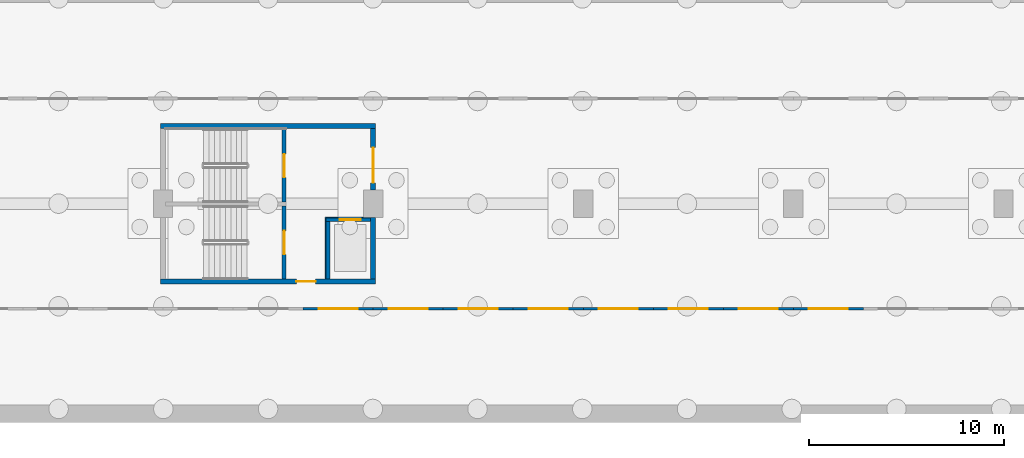
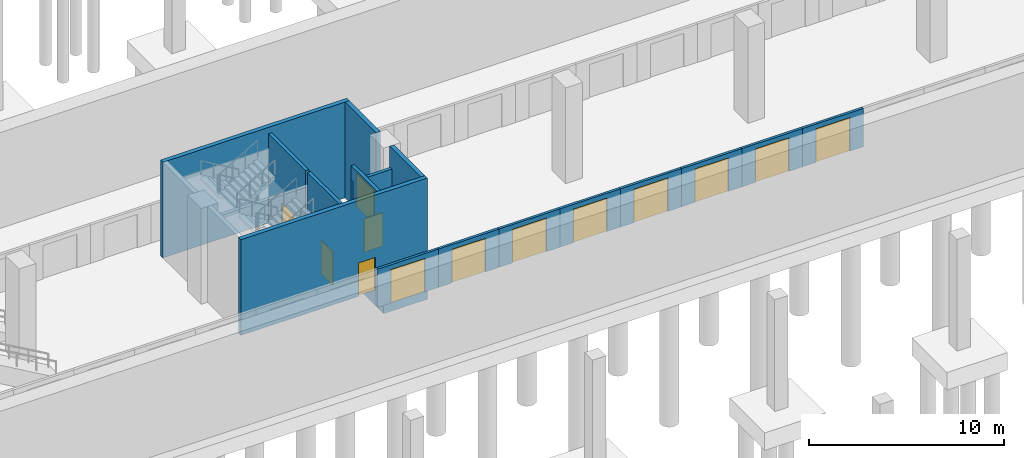
# One storey, part 9 of 39: 17 walls, 13 doors, 13 openings.
"""IFC4 building model written with IfcOpenShell, lengths in metres."""

from ifc_helpers import new_model, si_unit, direction, frame, frame_2d, origin, place, context, subcontext, project, spatial, polyline, rectangle, outline, extrude, material, layer, layer_set, type_object, element, fill, save


model = new_model("IFC4")

# Units and contexts
model_context = context("Model", 3, precision=1e-05, world=origin(), true_north=direction((0.0, 1.0)))
body_context = subcontext(model_context, "Body", "Model", "MODEL_VIEW")
ifc_project = project(units=[si_unit("LENGTHUNIT", "METRE"), si_unit("AREAUNIT", "SQUARE_METRE"), si_unit("VOLUMEUNIT", "CUBIC_METRE"), si_unit("PLANEANGLEUNIT", "RADIAN"), si_unit("MASSUNIT", "GRAM", prefix="KILO")], contexts=[model_context])

# Site, building, storey
site_placement = place(None, origin())
site = spatial("IfcSite", under=ifc_project, at=site_placement, CompositionType="ELEMENT")
building_placement = place(site_placement, origin())
building = spatial("IfcBuilding", under=site, at=building_placement, Name="Magnolia Steps Interchange", CompositionType="ELEMENT")
storey_placement = place(building_placement, frame((0.0, 0.0, -11.39990234375)))
storey = spatial("IfcBuildingStorey", under=building, at=storey_placement, Name="B2", CompositionType="ELEMENT", Elevation=-11.39990234375)

# Wall, opening, door
ifc_material_1 = material(Name="Concrete C35", Category="concrete")
ifc_layer_1 = layer(ifc_material_1, 0.199951171875)
ifc_layer_set_1 = layer_set([ifc_layer_1], Name="Core enclosure wall 200")
wall_type_1 = type_object("IfcWallType", Name="Core enclosure wall 200", PredefinedType="SOLIDWALL", material=ifc_layer_set_1)
wall_1_placement = place(storey_placement, frame((102.625, 60.125, 0.0), z_axis=(0.0, 0.0, 1.0), x_axis=(0.0, 1.0, 0.0)))
wall_1 = element("IfcWall", 1, at=wall_1_placement, inside=storey, type_object=wall_type_1, Name="B2 PC2 enclosure wall", PredefinedType="SOLIDWALL", context=body_context, shape_type="SweptSolid", body=[
    extrude(rectangle(XDim=3.75, YDim=0.199951171875, at=frame_2d((1.875, 0.0))), origin(), (0.0, 0.0, 1.0), 5.599853515625),
])
opening_1_placement = place(wall_1_placement, frame((1.27490234375, 0.0, 0.0)))
opening_1 = element("IfcOpeningElement", 2, at=opening_1_placement, cuts=wall_1, Name="Opening D-PC2-B2-1", PredefinedType="OPENING", context=body_context, shape_type="SweptSolid", body=[
    extrude(rectangle(XDim=1.199951171875, YDim=2.10009765625, at=frame_2d((0.60009765625, 1.050048828125))), frame((0.0, 0.10986328125, 0.0), z_axis=(0.0, -1.0, 0.0), x_axis=(1.0, 0.0, 0.0)), (0.0, 0.0, 1.0), 0.219970703125),
])
ifc_material_2 = material(Name="Painted steel", Category="steel")
door_type_1 = type_object("IfcDoorType", Name="Stair fire door 1200x2100", OperationType="NOTDEFINED", PredefinedType="DOOR", material=ifc_material_2)
door_1_placement = place(opening_1_placement, frame((1.199951171875, 0.0, 0.0), z_axis=(0.0, 0.0, 1.0), x_axis=(-1.0, 0.0, 0.0)))
door_1 = element("IfcDoor", 3, at=door_1_placement, inside=storey, type_object=door_type_1, Name="Stair door ST11 B2", OperationType="SINGLE_SWING_RIGHT", OverallHeight=2.10009765625, OverallWidth=1.199951171875, PredefinedType="DOOR", context=body_context, shape_type="SweptSolid", body=[
    extrude(rectangle(XDim=1.199951171875, YDim=2.10009765625, at=frame_2d((0.60009765625, 1.050048828125))), frame((0.0, 0.02490234375, 0.0), z_axis=(0.0, -1.0, 0.0), x_axis=(1.0, 0.0, 0.0)), (0.0, 0.0, 1.0), 0.050048828125),
])
fill(opening_1, door_1)

wall_2_placement = place(storey_placement, frame((102.625, 64.074951171875, 0.0), z_axis=(0.0, 0.0, 1.0), x_axis=(0.0, 1.0, 0.0)))
wall_2 = element("IfcWall", 4, at=wall_2_placement, inside=storey, type_object=wall_type_1, Name="B2 PC2 enclosure wall", PredefinedType="SOLIDWALL", context=body_context, shape_type="SweptSolid", body=[
    extrude(rectangle(XDim=3.800048828125, YDim=0.199951171875, at=frame_2d((1.89990234375, 0.0))), origin(), (0.0, 0.0, 1.0), 5.599853515625),
])
opening_2_placement = place(wall_2_placement, frame((1.27490234375, 0.0, 0.0)))
opening_2 = element("IfcOpeningElement", 5, at=opening_2_placement, cuts=wall_2, Name="Opening D-PC2-B2-2", PredefinedType="OPENING", context=body_context, shape_type="SweptSolid", body=[
    extrude(rectangle(XDim=1.199951171875, YDim=2.10009765625, at=frame_2d((0.60009765625, 1.050048828125))), frame((0.0, 0.10986328125, 0.0), z_axis=(0.0, -1.0, 0.0), x_axis=(1.0, 0.0, 0.0)), (0.0, 0.0, 1.0), 0.219970703125),
])
door_2_placement = place(opening_2_placement, frame((1.199951171875, 0.0, 0.0), z_axis=(0.0, 0.0, 1.0), x_axis=(-1.0, 0.0, 0.0)))
door_2 = element("IfcDoor", 6, at=door_2_placement, inside=storey, type_object=door_type_1, Name="Stair door ST12 B2", OperationType="SINGLE_SWING_RIGHT", OverallHeight=2.10009765625, OverallWidth=1.199951171875, PredefinedType="DOOR", context=body_context, shape_type="SweptSolid", body=[
    extrude(rectangle(XDim=1.199951171875, YDim=2.10009765625, at=frame_2d((0.60009765625, 1.050048828125))), frame((0.0, 0.02490234375, 0.0), z_axis=(0.0, -1.0, 0.0), x_axis=(1.0, 0.0, 0.0)), (0.0, 0.0, 1.0), 0.050048828125),
])
fill(opening_2, door_2)

# Wall
wall_3_placement = place(storey_placement, frame((104.875, 60.125, 0.0), z_axis=(0.0, 0.0, 1.0), x_axis=(0.0, 1.0, 0.0)))
element("IfcWall", 7, at=wall_3_placement, inside=storey, type_object=wall_type_1, Name="B2 PC2 enclosure wall", PredefinedType="SOLIDWALL", context=body_context, shape_type="SweptSolid", body=[
    extrude(rectangle(XDim=3.14990234375, YDim=0.199951171875, at=frame_2d((1.574951171875, 0.0))), origin(), (0.0, 0.0, 1.0), 5.599853515625),
])

# Wall, opening, door
wall_4_placement = place(storey_placement, frame((107.074951171875, 63.175048828125, 0.0), z_axis=(0.0, 0.0, 1.0), x_axis=(-1.0, 0.0, 0.0)))
wall_4 = element("IfcWall", 8, at=wall_4_placement, inside=storey, type_object=wall_type_1, Name="B2 PC2 enclosure wall", PredefinedType="SOLIDWALL", context=body_context, shape_type="SweptSolid", body=[
    extrude(rectangle(XDim=2.300048828125, YDim=0.199951171875, at=frame_2d((1.14990234375, 0.0))), origin(), (0.0, 0.0, 1.0), 4.699951171875),
])
opening_3_placement = place(wall_4_placement, frame((0.5, 0.0, 0.0)))
opening_3 = element("IfcOpeningElement", 9, at=opening_3_placement, cuts=wall_4, Name="Opening LD", PredefinedType="OPENING", context=body_context, shape_type="SweptSolid", body=[
    extrude(rectangle(XDim=1.10009765625, YDim=2.10009765625, at=frame_2d((0.550048828125, 1.050048828125))), frame((0.0, 0.10986328125, 0.0), z_axis=(0.0, -1.0, 0.0), x_axis=(1.0, 0.0, 0.0)), (0.0, 0.0, 1.0), 0.219970703125),
])
ifc_material_3 = material(Name="Stainless steel grade 304", Category="steel")
door_type_2 = type_object("IfcDoorType", Name="Lift landing door 1100x2100", OperationType="DOUBLE_DOOR_SLIDING", PredefinedType="DOOR", material=ifc_material_3)
door_3_placement = place(opening_3_placement, frame((1.10009765625, 0.0, 0.0), z_axis=(0.0, 0.0, 1.0), x_axis=(-1.0, 0.0, 0.0)))
door_3 = element("IfcDoor", 10, at=door_3_placement, inside=storey, type_object=door_type_2, Name="Lift landing door LF6 B2", OperationType="DOUBLE_DOOR_SLIDING", OverallHeight=2.10009765625, OverallWidth=1.10009765625, PredefinedType="DOOR", context=body_context, shape_type="SweptSolid", body=[
    extrude(rectangle(XDim=1.10009765625, YDim=2.10009765625, at=frame_2d((0.550048828125, 1.050048828125))), frame((0.0, 0.02490234375, 0.0), z_axis=(0.0, -1.0, 0.0), x_axis=(1.0, 0.0, 0.0)), (0.0, 0.0, 1.0), 0.050048828125),
])
fill(opening_3, door_3)

ifc_material_4 = material(Name="Concrete C40", Category="concrete")
ifc_layer_2 = layer(ifc_material_4, 0.25)
ifc_layer_set_2 = layer_set([ifc_layer_2], Name="Core wall 250")
wall_type_2 = type_object("IfcWallType", Name="Core wall 250", PredefinedType="SOLIDWALL", material=ifc_layer_set_2)
wall_5_placement = place(storey_placement, frame((96.27490234375, 60.0, 0.0), z_axis=(0.0, 0.0, 1.0), x_axis=(1.0, 0.0, 0.0)))
wall_5 = element("IfcWall", 11, at=wall_5_placement, inside=storey, type_object=wall_type_2, Name="Core wall PC2", PredefinedType="SOLIDWALL", context=body_context, shape_type="SweptSolid", body=[
    extrude(rectangle(XDim=11.050048828125, YDim=0.25, at=frame_2d((5.52490234375, 0.0))), origin(), (0.0, 0.0, 1.0), 6.0),
])
opening_4_placement = place(wall_5_placement, frame((6.97509765625, 0.0, 0.0)))
opening_4 = element("IfcOpeningElement", 12, at=opening_4_placement, cuts=wall_5, Name="Opening D-PC2-B2-4", PredefinedType="OPENING", context=body_context, shape_type="SweptSolid", body=[
    extrude(rectangle(XDim=1.0, YDim=2.10009765625, at=frame_2d((0.5, 1.050048828125))), frame((0.0, 0.135009765625, 0.0), z_axis=(0.0, -1.0, 0.0), x_axis=(1.0, 0.0, 0.0)), (0.0, 0.0, 1.0), 0.27001953125),
])
ifc_material_5 = material(Name="Timber and glass", Category="wood")
door_type_3 = type_object("IfcDoorType", Name="Core entrance door 1000x2100", OperationType="NOTDEFINED", PredefinedType="DOOR", material=ifc_material_5)
door_4_placement = place(opening_4_placement, frame((1.0, 0.0, 0.0), z_axis=(0.0, 0.0, 1.0), x_axis=(-1.0, 0.0, 0.0)))
door_4 = element("IfcDoor", 13, at=door_4_placement, inside=storey, type_object=door_type_3, Name="Core entrance door PC2 B2", OperationType="SINGLE_SWING_LEFT", OverallHeight=2.10009765625, OverallWidth=1.0, PredefinedType="DOOR", context=body_context, shape_type="SweptSolid", body=[
    extrude(rectangle(XDim=1.0, YDim=2.10009765625, at=frame_2d((0.5, 1.050048828125))), frame((0.0, 0.02490234375, 0.0), z_axis=(0.0, -1.0, 0.0), x_axis=(1.0, 0.0, 0.0)), (0.0, 0.0, 1.0), 0.050048828125),
])
fill(opening_4, door_4)

# Wall
wall_6_placement = place(storey_placement, frame((107.199951171875, 60.125, 0.0), z_axis=(0.0, 0.0, 1.0), x_axis=(0.0, 1.0, 0.0)))
element("IfcWall", 14, at=wall_6_placement, inside=storey, type_object=wall_type_2, Name="Core wall PC2", PredefinedType="SOLIDWALL", context=body_context, shape_type="SweptSolid", body=[
    extrude(rectangle(XDim=3.175048828125, YDim=0.25, at=frame_2d((1.58740234375, 0.0))), origin(), (0.0, 0.0, 1.0), 6.0),
])

# Wall, opening, door
wall_7_placement = place(storey_placement, frame((107.199951171875, 64.699951171875, 0.0), z_axis=(0.0, 0.0, 1.0), x_axis=(0.0, 1.0, 0.0)))
wall_7 = element("IfcWall", 15, at=wall_7_placement, inside=storey, type_object=wall_type_2, Name="Core wall PC2", PredefinedType="SOLIDWALL", context=body_context, shape_type="SweptSolid", body=[
    extrude(rectangle(XDim=3.175048828125, YDim=0.25, at=frame_2d((1.58740234375, 0.0))), origin(), (0.0, 0.0, 1.0), 6.0),
])
opening_5_placement = place(wall_7_placement, frame((0.375, 0.0, 0.0)))
opening_5 = element("IfcOpeningElement", 16, at=opening_5_placement, cuts=wall_7, Name="Opening D-PC2-B2-3", PredefinedType="OPENING", context=body_context, shape_type="SweptSolid", body=[
    extrude(rectangle(XDim=1.800048828125, YDim=2.10009765625, at=frame_2d((0.89990234375, 1.050048828125))), frame((0.0, 0.135009765625, 0.0), z_axis=(0.0, -1.0, 0.0), x_axis=(1.0, 0.0, 0.0)), (0.0, 0.0, 1.0), 0.27001953125),
])
ifc_material_6 = material(Name="Timber and glass", Category="wood")
door_type_4 = type_object("IfcDoorType", Name="Core entrance door pair 1800x2100", OperationType="DOUBLE_DOOR_DOUBLE_SWING", PredefinedType="DOOR", material=ifc_material_6)
door_5_placement = place(opening_5_placement, frame((1.800048828125, 0.0, 0.0), z_axis=(0.0, 0.0, 1.0), x_axis=(-1.0, 0.0, 0.0)))
door_5 = element("IfcDoor", 17, at=door_5_placement, inside=storey, type_object=door_type_4, Name="Core entrance door PC2 B2", OperationType="DOUBLE_DOOR_DOUBLE_SWING", OverallHeight=2.10009765625, OverallWidth=1.800048828125, PredefinedType="DOOR", context=body_context, shape_type="SweptSolid", body=[
    extrude(rectangle(XDim=1.800048828125, YDim=2.10009765625, at=frame_2d((0.89990234375, 1.050048828125))), frame((0.0, 0.02490234375, 0.0), z_axis=(0.0, -1.0, 0.0), x_axis=(1.0, 0.0, 0.0)), (0.0, 0.0, 1.0), 0.050048828125),
])
fill(opening_5, door_5)

# Walls
wall_8_placement = place(storey_placement, frame((107.324951171875, 68.0, 0.0), z_axis=(0.0, 0.0, 1.0), x_axis=(-1.0, 0.0, 0.0)))
element("IfcWall", 18, at=wall_8_placement, inside=storey, type_object=wall_type_2, Name="Core wall PC2", PredefinedType="SOLIDWALL", context=body_context, shape_type="SweptSolid", body=[
    extrude(rectangle(XDim=11.050048828125, YDim=0.25, at=frame_2d((5.52490234375, 0.0))), origin(), (0.0, 0.0, 1.0), 6.0),
])
ifc_material_7 = material(Name="Concrete C40", Category="concrete")
ifc_layer_3 = layer(ifc_material_7, 0.25)
ifc_layer_set_3 = layer_set([ifc_layer_3], Name="Lift pit wall 250")
wall_type_3 = type_object("IfcWallType", Name="Lift pit wall 250", PredefinedType="SOLIDWALL", material=ifc_layer_set_3)
wall_9_placement = place(storey_placement, frame((0.0, 0.0, -1.60009765625)))
element("IfcWall", 19, at=wall_9_placement, inside=storey, type_object=wall_type_3, Name="Lift pit wall PC2", PredefinedType="SOLIDWALL", context=body_context, shape_type="SweptSolid", body=[
    extrude(outline(polyline([(107.324951171875, 59.875), (107.324951171875, 63.324951171875), (104.72509765625, 63.324951171875), (104.72509765625, 59.875), (107.324951171875, 59.875)]), holes=[polyline([(107.074951171875, 63.074951171875), (104.97509765625, 63.074951171875), (104.97509765625, 60.125), (107.074951171875, 60.125), (107.074951171875, 63.074951171875)])]), origin(), (0.0, 0.0, 1.0), 1.60009765625),
])

# Wall, opening, door
ifc_material_8 = material(Name="Toughened glass", Category="glass")
ifc_layer_4 = layer(ifc_material_8, 0.14990234375)
ifc_layer_set_4 = layer_set([ifc_layer_4], Name="Platform screen panel 150")
wall_type_4 = type_object("IfcWallType", Name="Platform screen panel 150", PredefinedType="PARTITIONING", material=ifc_layer_set_4)
wall_10_placement = place(storey_placement, frame((103.60009765625, 58.60009765625, 0.0), z_axis=(0.0, 0.0, 1.0), x_axis=(1.0, 0.0, 0.0)))
wall_10 = element("IfcWall", 20, at=wall_10_placement, inside=storey, type_object=wall_type_4, Name="Platform screen 15", PredefinedType="PARTITIONING", context=body_context, shape_type="SweptSolid", body=[
    extrude(rectangle(XDim=3.599853515625, YDim=0.14990234375, at=frame_2d((1.7998046875, 0.0))), origin(), (0.0, 0.0, 1.0), 2.39990234375),
])
opening_6_placement = place(wall_10_placement, frame((0.800048828125, 0.0, 0.0)))
opening_6 = element("IfcOpeningElement", 21, at=opening_6_placement, cuts=wall_10, Name="Opening PSD", PredefinedType="OPENING", context=body_context, shape_type="SweptSolid", body=[
    extrude(rectangle(XDim=2.0, YDim=2.10009765625, at=frame_2d((1.0, 1.050048828125))), frame((0.0, 0.0849609375, 0.0), z_axis=(0.0, -1.0, 0.0), x_axis=(1.0, 0.0, 0.0)), (0.0, 0.0, 1.0), 0.169921875),
])
ifc_material_9 = material(Name="Toughened glass", Category="glass")
door_type_5 = type_object("IfcDoorType", Name="Platform screen door 2000x2100", OperationType="DOUBLE_DOOR_SLIDING", PredefinedType="DOOR", material=ifc_material_9)
door_6_placement = place(opening_6_placement, origin())
door_6 = element("IfcDoor", 22, at=door_6_placement, inside=storey, type_object=door_type_5, Name="Platform screen door 15", OperationType="DOUBLE_DOOR_SLIDING", OverallHeight=2.10009765625, OverallWidth=2.0, PredefinedType="DOOR", context=body_context, shape_type="SweptSolid", body=[
    extrude(rectangle(XDim=2.0, YDim=2.10009765625, at=frame_2d((1.0, 1.050048828125))), frame((0.0, 0.02490234375, 0.0), z_axis=(0.0, -1.0, 0.0), x_axis=(1.0, 0.0, 0.0)), (0.0, 0.0, 1.0), 0.050048828125),
])
fill(opening_6, door_6)

wall_11_placement = place(storey_placement, frame((107.199951171875, 58.60009765625, 0.0), z_axis=(0.0, 0.0, 1.0), x_axis=(1.0, 0.0, 0.0)))
wall_11 = element("IfcWall", 23, at=wall_11_placement, inside=storey, type_object=wall_type_4, Name="Platform screen 16", PredefinedType="PARTITIONING", context=body_context, shape_type="SweptSolid", body=[
    extrude(rectangle(XDim=3.60009765625, YDim=0.14990234375, at=frame_2d((1.800048828125, 0.0))), origin(), (0.0, 0.0, 1.0), 2.39990234375),
])
opening_7_placement = place(wall_11_placement, frame((0.800048828125, 0.0, 0.0)))
opening_7 = element("IfcOpeningElement", 24, at=opening_7_placement, cuts=wall_11, Name="Opening PSD", PredefinedType="OPENING", context=body_context, shape_type="SweptSolid", body=[
    extrude(rectangle(XDim=2.0, YDim=2.10009765625, at=frame_2d((1.0, 1.050048828125))), frame((0.0, 0.0849609375, 0.0), z_axis=(0.0, -1.0, 0.0), x_axis=(1.0, 0.0, 0.0)), (0.0, 0.0, 1.0), 0.169921875),
])
door_7_placement = place(opening_7_placement, origin())
door_7 = element("IfcDoor", 25, at=door_7_placement, inside=storey, type_object=door_type_5, Name="Platform screen door 16", OperationType="DOUBLE_DOOR_SLIDING", OverallHeight=2.10009765625, OverallWidth=2.0, PredefinedType="DOOR", context=body_context, shape_type="SweptSolid", body=[
    extrude(rectangle(XDim=2.0, YDim=2.10009765625, at=frame_2d((1.0, 1.050048828125))), frame((0.0, 0.02490234375, 0.0), z_axis=(0.0, -1.0, 0.0), x_axis=(1.0, 0.0, 0.0)), (0.0, 0.0, 1.0), 0.050048828125),
])
fill(opening_7, door_7)

wall_12_placement = place(storey_placement, frame((110.800048828125, 58.60009765625, 0.0), z_axis=(0.0, 0.0, 1.0), x_axis=(1.0, 0.0, 0.0)))
wall_12 = element("IfcWall", 26, at=wall_12_placement, inside=storey, type_object=wall_type_4, Name="Platform screen 17", PredefinedType="PARTITIONING", context=body_context, shape_type="SweptSolid", body=[
    extrude(rectangle(XDim=3.599853515625, YDim=0.14990234375, at=frame_2d((1.7998046875, 0.0))), origin(), (0.0, 0.0, 1.0), 2.39990234375),
])
opening_8_placement = place(wall_12_placement, frame((0.800048828125, 0.0, 0.0)))
opening_8 = element("IfcOpeningElement", 27, at=opening_8_placement, cuts=wall_12, Name="Opening PSD", PredefinedType="OPENING", context=body_context, shape_type="SweptSolid", body=[
    extrude(rectangle(XDim=2.0, YDim=2.10009765625, at=frame_2d((1.0, 1.050048828125))), frame((0.0, 0.0849609375, 0.0), z_axis=(0.0, -1.0, 0.0), x_axis=(1.0, 0.0, 0.0)), (0.0, 0.0, 1.0), 0.169921875),
])
door_8_placement = place(opening_8_placement, origin())
door_8 = element("IfcDoor", 28, at=door_8_placement, inside=storey, type_object=door_type_5, Name="Platform screen door 17", OperationType="DOUBLE_DOOR_SLIDING", OverallHeight=2.10009765625, OverallWidth=2.0, PredefinedType="DOOR", context=body_context, shape_type="SweptSolid", body=[
    extrude(rectangle(XDim=2.0, YDim=2.10009765625, at=frame_2d((1.0, 1.050048828125))), frame((0.0, 0.02490234375, 0.0), z_axis=(0.0, -1.0, 0.0), x_axis=(1.0, 0.0, 0.0)), (0.0, 0.0, 1.0), 0.050048828125),
])
fill(opening_8, door_8)

wall_13_placement = place(storey_placement, frame((114.39990234375, 58.60009765625, 0.0), z_axis=(0.0, 0.0, 1.0), x_axis=(1.0, 0.0, 0.0)))
wall_13 = element("IfcWall", 29, at=wall_13_placement, inside=storey, type_object=wall_type_4, Name="Platform screen 18", PredefinedType="PARTITIONING", context=body_context, shape_type="SweptSolid", body=[
    extrude(rectangle(XDim=3.60009765625, YDim=0.14990234375, at=frame_2d((1.800048828125, 0.0))), origin(), (0.0, 0.0, 1.0), 2.39990234375),
])
opening_9_placement = place(wall_13_placement, frame((0.800048828125, 0.0, 0.0)))
opening_9 = element("IfcOpeningElement", 30, at=opening_9_placement, cuts=wall_13, Name="Opening PSD", PredefinedType="OPENING", context=body_context, shape_type="SweptSolid", body=[
    extrude(rectangle(XDim=2.0, YDim=2.10009765625, at=frame_2d((1.0, 1.050048828125))), frame((0.0, 0.0849609375, 0.0), z_axis=(0.0, -1.0, 0.0), x_axis=(1.0, 0.0, 0.0)), (0.0, 0.0, 1.0), 0.169921875),
])
door_9_placement = place(opening_9_placement, origin())
door_9 = element("IfcDoor", 31, at=door_9_placement, inside=storey, type_object=door_type_5, Name="Platform screen door 18", OperationType="DOUBLE_DOOR_SLIDING", OverallHeight=2.10009765625, OverallWidth=2.0, PredefinedType="DOOR", context=body_context, shape_type="SweptSolid", body=[
    extrude(rectangle(XDim=2.0, YDim=2.10009765625, at=frame_2d((1.0, 1.050048828125))), frame((0.0, 0.02490234375, 0.0), z_axis=(0.0, -1.0, 0.0), x_axis=(1.0, 0.0, 0.0)), (0.0, 0.0, 1.0), 0.050048828125),
])
fill(opening_9, door_9)

wall_14_placement = place(storey_placement, frame((118.0, 58.60009765625, 0.0), z_axis=(0.0, 0.0, 1.0), x_axis=(1.0, 0.0, 0.0)))
wall_14 = element("IfcWall", 32, at=wall_14_placement, inside=storey, type_object=wall_type_4, Name="Platform screen 19", PredefinedType="PARTITIONING", context=body_context, shape_type="SweptSolid", body=[
    extrude(rectangle(XDim=3.60009765625, YDim=0.14990234375, at=frame_2d((1.800048828125, 0.0))), origin(), (0.0, 0.0, 1.0), 2.39990234375),
])
opening_10_placement = place(wall_14_placement, frame((0.800048828125, 0.0, 0.0)))
opening_10 = element("IfcOpeningElement", 33, at=opening_10_placement, cuts=wall_14, Name="Opening PSD", PredefinedType="OPENING", context=body_context, shape_type="SweptSolid", body=[
    extrude(rectangle(XDim=2.0, YDim=2.10009765625, at=frame_2d((1.0, 1.050048828125))), frame((0.0, 0.0849609375, 0.0), z_axis=(0.0, -1.0, 0.0), x_axis=(1.0, 0.0, 0.0)), (0.0, 0.0, 1.0), 0.169921875),
])
door_10_placement = place(opening_10_placement, origin())
door_10 = element("IfcDoor", 34, at=door_10_placement, inside=storey, type_object=door_type_5, Name="Platform screen door 19", OperationType="DOUBLE_DOOR_SLIDING", OverallHeight=2.10009765625, OverallWidth=2.0, PredefinedType="DOOR", context=body_context, shape_type="SweptSolid", body=[
    extrude(rectangle(XDim=2.0, YDim=2.10009765625, at=frame_2d((1.0, 1.050048828125))), frame((0.0, 0.02490234375, 0.0), z_axis=(0.0, -1.0, 0.0), x_axis=(1.0, 0.0, 0.0)), (0.0, 0.0, 1.0), 0.050048828125),
])
fill(opening_10, door_10)

wall_15_placement = place(storey_placement, frame((121.60009765625, 58.60009765625, 0.0), z_axis=(0.0, 0.0, 1.0), x_axis=(1.0, 0.0, 0.0)))
wall_15 = element("IfcWall", 35, at=wall_15_placement, inside=storey, type_object=wall_type_4, Name="Platform screen 20", PredefinedType="PARTITIONING", context=body_context, shape_type="SweptSolid", body=[
    extrude(rectangle(XDim=3.599853515625, YDim=0.14990234375, at=frame_2d((1.7998046875, 0.0))), origin(), (0.0, 0.0, 1.0), 2.39990234375),
])
opening_11_placement = place(wall_15_placement, frame((0.800048828125, 0.0, 0.0)))
opening_11 = element("IfcOpeningElement", 36, at=opening_11_placement, cuts=wall_15, Name="Opening PSD", PredefinedType="OPENING", context=body_context, shape_type="SweptSolid", body=[
    extrude(rectangle(XDim=2.0, YDim=2.10009765625, at=frame_2d((1.0, 1.050048828125))), frame((0.0, 0.0849609375, 0.0), z_axis=(0.0, -1.0, 0.0), x_axis=(1.0, 0.0, 0.0)), (0.0, 0.0, 1.0), 0.169921875),
])
door_11_placement = place(opening_11_placement, origin())
door_11 = element("IfcDoor", 37, at=door_11_placement, inside=storey, type_object=door_type_5, Name="Platform screen door 20", OperationType="DOUBLE_DOOR_SLIDING", OverallHeight=2.10009765625, OverallWidth=2.0, PredefinedType="DOOR", context=body_context, shape_type="SweptSolid", body=[
    extrude(rectangle(XDim=2.0, YDim=2.10009765625, at=frame_2d((1.0, 1.050048828125))), frame((0.0, 0.02490234375, 0.0), z_axis=(0.0, -1.0, 0.0), x_axis=(1.0, 0.0, 0.0)), (0.0, 0.0, 1.0), 0.050048828125),
])
fill(opening_11, door_11)

wall_16_placement = place(storey_placement, frame((125.199951171875, 58.60009765625, 0.0), z_axis=(0.0, 0.0, 1.0), x_axis=(1.0, 0.0, 0.0)))
wall_16 = element("IfcWall", 38, at=wall_16_placement, inside=storey, type_object=wall_type_4, Name="Platform screen 21", PredefinedType="PARTITIONING", context=body_context, shape_type="SweptSolid", body=[
    extrude(rectangle(XDim=3.60009765625, YDim=0.14990234375, at=frame_2d((1.800048828125, 0.0))), origin(), (0.0, 0.0, 1.0), 2.39990234375),
])
opening_12_placement = place(wall_16_placement, frame((0.800048828125, 0.0, 0.0)))
opening_12 = element("IfcOpeningElement", 39, at=opening_12_placement, cuts=wall_16, Name="Opening PSD", PredefinedType="OPENING", context=body_context, shape_type="SweptSolid", body=[
    extrude(rectangle(XDim=2.0, YDim=2.10009765625, at=frame_2d((1.0, 1.050048828125))), frame((0.0, 0.0849609375, 0.0), z_axis=(0.0, -1.0, 0.0), x_axis=(1.0, 0.0, 0.0)), (0.0, 0.0, 1.0), 0.169921875),
])
door_12_placement = place(opening_12_placement, origin())
door_12 = element("IfcDoor", 40, at=door_12_placement, inside=storey, type_object=door_type_5, Name="Platform screen door 21", OperationType="DOUBLE_DOOR_SLIDING", OverallHeight=2.10009765625, OverallWidth=2.0, PredefinedType="DOOR", context=body_context, shape_type="SweptSolid", body=[
    extrude(rectangle(XDim=2.0, YDim=2.10009765625, at=frame_2d((1.0, 1.050048828125))), frame((0.0, 0.02490234375, 0.0), z_axis=(0.0, -1.0, 0.0), x_axis=(1.0, 0.0, 0.0)), (0.0, 0.0, 1.0), 0.050048828125),
])
fill(opening_12, door_12)

wall_17_placement = place(storey_placement, frame((128.800048828125, 58.60009765625, 0.0), z_axis=(0.0, 0.0, 1.0), x_axis=(1.0, 0.0, 0.0)))
wall_17 = element("IfcWall", 41, at=wall_17_placement, inside=storey, type_object=wall_type_4, Name="Platform screen 22", PredefinedType="PARTITIONING", context=body_context, shape_type="SweptSolid", body=[
    extrude(rectangle(XDim=3.599853515625, YDim=0.14990234375, at=frame_2d((1.7998046875, 0.0))), origin(), (0.0, 0.0, 1.0), 2.39990234375),
])
opening_13_placement = place(wall_17_placement, frame((0.800048828125, 0.0, 0.0)))
opening_13 = element("IfcOpeningElement", 42, at=opening_13_placement, cuts=wall_17, Name="Opening PSD", PredefinedType="OPENING", context=body_context, shape_type="SweptSolid", body=[
    extrude(rectangle(XDim=2.0, YDim=2.10009765625, at=frame_2d((1.0, 1.050048828125))), frame((0.0, 0.0849609375, 0.0), z_axis=(0.0, -1.0, 0.0), x_axis=(1.0, 0.0, 0.0)), (0.0, 0.0, 1.0), 0.169921875),
])
door_13_placement = place(opening_13_placement, origin())
door_13 = element("IfcDoor", 43, at=door_13_placement, inside=storey, type_object=door_type_5, Name="Platform screen door 22", OperationType="DOUBLE_DOOR_SLIDING", OverallHeight=2.10009765625, OverallWidth=2.0, PredefinedType="DOOR", context=body_context, shape_type="SweptSolid", body=[
    extrude(rectangle(XDim=2.0, YDim=2.10009765625, at=frame_2d((1.0, 1.050048828125))), frame((0.0, 0.02490234375, 0.0), z_axis=(0.0, -1.0, 0.0), x_axis=(1.0, 0.0, 0.0)), (0.0, 0.0, 1.0), 0.050048828125),
])
fill(opening_13, door_13)

save(model, "model.ifc")
